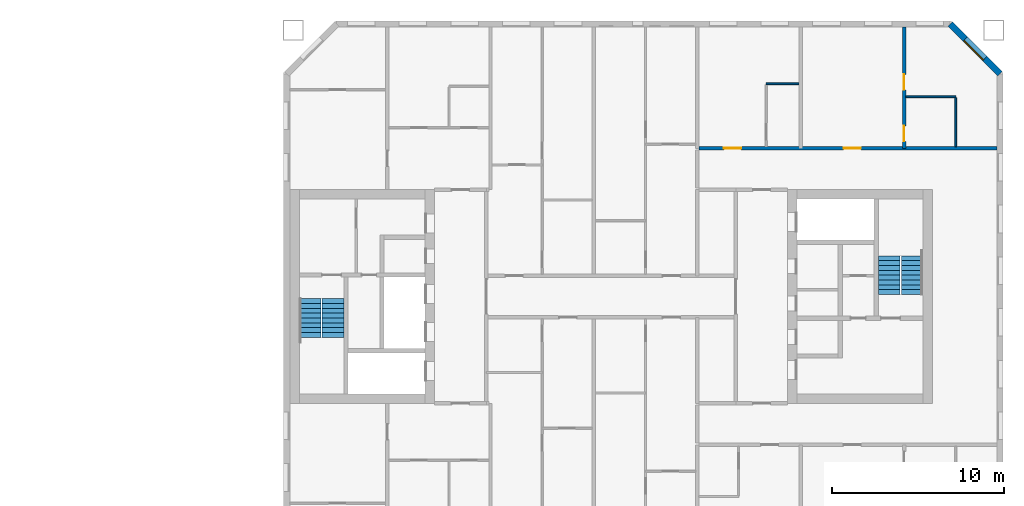
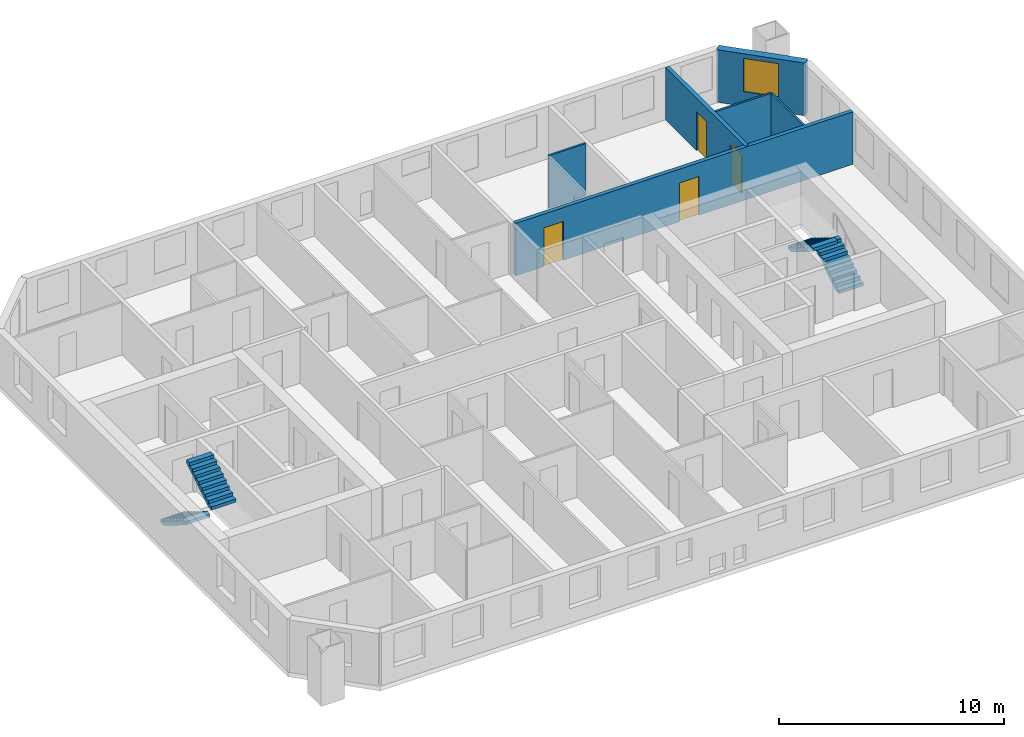
# One storey, part 14 of 16: 6 walls, 4 doors, 4 stair flights, 1 window, 5 openings, 2 elements without a shape of their own.
"""IFC4 building model written with IfcOpenShell, lengths in metres."""

from ifc_helpers import new_model, si_unit, direction, frame, frame_2d, origin, place, context, subcontext, project, spatial, polyline, rectangle, outline, extrude, material, layer, layer_set, type_object, element, fill, aggregate, save


model = new_model("IFC4")

# Units and contexts
model_context = context("Model", 3, precision=1e-05, world=origin(), true_north=direction((0.0, 1.0)))
body_context = subcontext(model_context, "Body", "Model", "MODEL_VIEW")
ifc_project = project(units=[si_unit("LENGTHUNIT", "METRE"), si_unit("AREAUNIT", "SQUARE_METRE"), si_unit("VOLUMEUNIT", "CUBIC_METRE"), si_unit("PLANEANGLEUNIT", "RADIAN"), si_unit("MASSUNIT", "GRAM", prefix="KILO")], contexts=[model_context])

# Site, building, storey
site_placement = place(None, origin())
site = spatial("IfcSite", under=ifc_project, at=site_placement, CompositionType="ELEMENT")
building_placement = place(site_placement, origin())
building = spatial("IfcBuilding", under=site, at=building_placement, Name="Tuart Gate Housing", CompositionType="ELEMENT")
storey_placement = place(building_placement, frame((0.0, 0.0, 139.199951171875)))
storey = spatial("IfcBuildingStorey", under=building, at=storey_placement, Name="L39", CompositionType="ELEMENT", Elevation=139.199951171875)

# Wall, opening, window
ifc_material_1 = material(Name="Brick", Category="masonry")
ifc_layer_1 = layer(ifc_material_1, 0.360107421875)
ifc_layer_set_1 = layer_set([ifc_layer_1], Name="Brick pier and spandrel wall 360")
wall_type_1 = type_object("IfcWallType", Name="Brick pier and spandrel wall 360", PredefinedType="STANDARD", material=ifc_layer_set_1)
wall_1_placement = place(storey_placement, frame((172.570068359375, 82.92529296875, 0.0), z_axis=(0.0, 0.0, 1.0), x_axis=(-0.707106781187, 0.707106781187, 0.0)))
wall_1 = element("IfcWall", 1, at=wall_1_placement, inside=storey, type_object=wall_type_1, Name="External wall B-NE L39", PredefinedType="STANDARD", context=body_context, shape_type="SweptSolid", body=[
    extrude(rectangle(XDim=4.09375, YDim=0.360107421875, at=frame_2d((2.046875, 0.0))), origin(), (0.0, 0.0, 1.0), 2.85009765625),
])
opening_1_placement = place(wall_1_placement, frame((1.2470703125, 0.0, 0.800048828125)))
opening_1 = element("IfcOpeningElement", 2, at=opening_1_placement, cuts=wall_1, Name="Opening W1", PredefinedType="OPENING", context=body_context, shape_type="SweptSolid", body=[
    extrude(rectangle(XDim=1.60009765625, YDim=1.800048828125, at=frame_2d((0.800048828125, 0.89990234375))), frame((0.0, 0.18994140625, 0.0), z_axis=(0.0, -1.0, 0.0), x_axis=(1.0, 0.0, 0.0)), (0.0, 0.0, 1.0), 0.380126953125),
])
ifc_material_2 = material(Name="Aluminium frame with clear glass", Category="aluminium")
window_type = type_object("IfcWindowType", Name="Punched window 1600 x 1800", PartitioningType="SINGLE_PANEL", PredefinedType="WINDOW", material=ifc_material_2)
window_placement = place(opening_1_placement, origin())
window = element("IfcWindow", 3, at=window_placement, inside=storey, type_object=window_type, Name="Window W1", OverallHeight=1.800048828125, OverallWidth=1.60009765625, PartitioningType="SINGLE_PANEL", PredefinedType="WINDOW", context=body_context, shape_type="SweptSolid", body=[
    extrude(rectangle(XDim=1.60009765625, YDim=1.800048828125, at=frame_2d((0.800048828125, 0.89990234375))), frame((0.0, 0.150146484375, 0.0), z_axis=(0.0, -1.0, 0.0), x_axis=(1.0, 0.0, 0.0)), (0.0, 0.0, 1.0), 0.06005859375),
])
fill(opening_1, window)

# Wall, openings, doors
ifc_material_3 = material(Name="Concrete masonry 15 MPa", Category="masonry")
ifc_layer_2 = layer(ifc_material_3, 0.199951171875)
ifc_layer_set_2 = layer_set([ifc_layer_2], Name="Corridor wall masonry 200")
wall_type_2 = type_object("IfcWallType", Name="Corridor wall masonry 200", PredefinedType="PARTITIONING", material=ifc_layer_set_2)
wall_2_placement = place(storey_placement, frame((155.10009765625, 78.60009765625, 0.0), z_axis=(0.0, 0.0, 1.0), x_axis=(1.0, 0.0, 0.0)))
wall_2 = element("IfcWall", 4, at=wall_2_placement, inside=storey, type_object=wall_type_2, Name="Corridor wall masonry 200", PredefinedType="PARTITIONING", context=body_context, shape_type="SweptSolid", body=[
    extrude(rectangle(XDim=17.289794921875, YDim=0.199951171875, at=frame_2d((8.64501953125, 0.0))), origin(), (0.0, 0.0, 1.0), 2.85009765625),
])
opening_2_placement = place(wall_2_placement, frame((1.449951171875, 0.0, 0.0)))
opening_2 = element("IfcOpeningElement", 5, at=opening_2_placement, cuts=wall_2, Name="Opening D1472", PredefinedType="OPENING", context=body_context, shape_type="SweptSolid", body=[
    extrude(rectangle(XDim=1.0, YDim=2.10009765625, at=frame_2d((0.5, 1.050048828125))), frame((0.0, 0.10986328125, 0.0), z_axis=(0.0, -1.0, 0.0), x_axis=(1.0, 0.0, 0.0)), (0.0, 0.0, 1.0), 0.219970703125),
])
opening_3_placement = place(wall_2_placement, frame((8.39990234375, 0.0, 0.0)))
opening_3 = element("IfcOpeningElement", 6, at=opening_3_placement, cuts=wall_2, Name="Opening D1473", PredefinedType="OPENING", context=body_context, shape_type="SweptSolid", body=[
    extrude(rectangle(XDim=1.0, YDim=2.10009765625, at=frame_2d((0.5, 1.050048828125))), frame((0.0, 0.10986328125, 0.0), z_axis=(0.0, -1.0, 0.0), x_axis=(1.0, 0.0, 0.0)), (0.0, 0.0, 1.0), 0.219970703125),
])
ifc_material_4 = material(Name="Timber door leaf in steel frame", Category="steel")
door_type_1 = type_object("IfcDoorType", Name="Flat entrance door 1000", OperationType="SINGLE_SWING_LEFT", PredefinedType="DOOR", material=ifc_material_4)
door_1_placement = place(opening_3_placement, origin())
door_1 = element("IfcDoor", 7, at=door_1_placement, inside=storey, type_object=door_type_1, Name="Flat entrance door", OperationType="SINGLE_SWING_LEFT", OverallHeight=2.10009765625, OverallWidth=1.0, PredefinedType="DOOR", context=body_context, shape_type="SweptSolid", body=[
    extrude(rectangle(XDim=1.0, YDim=2.10009765625, at=frame_2d((0.5, 1.050048828125))), frame((0.0, 0.02490234375, 0.0), z_axis=(0.0, -1.0, 0.0), x_axis=(1.0, 0.0, 0.0)), (0.0, 0.0, 1.0), 0.050048828125),
])
fill(opening_3, door_1)
ifc_material_5 = material(Name="Timber door leaf in steel frame", Category="steel")
door_type_2 = type_object("IfcDoorType", Name="Flat entrance door 1000 RH", OperationType="SINGLE_SWING_RIGHT", PredefinedType="DOOR", material=ifc_material_5)
door_2_placement = place(opening_2_placement, origin())
door_2 = element("IfcDoor", 8, at=door_2_placement, inside=storey, type_object=door_type_2, Name="Flat entrance door", OperationType="SINGLE_SWING_RIGHT", OverallHeight=2.10009765625, OverallWidth=1.0, PredefinedType="DOOR", context=body_context, shape_type="SweptSolid", body=[
    extrude(rectangle(XDim=1.0, YDim=2.10009765625, at=frame_2d((0.5, 1.050048828125))), frame((0.0, 0.02490234375, 0.0), z_axis=(0.0, -1.0, 0.0), x_axis=(1.0, 0.0, 0.0)), (0.0, 0.0, 1.0), 0.050048828125),
])
fill(opening_2, door_2)

# Walls
ifc_material_6 = material(Name="Gypsum board on steel studs", Category="steel")
ifc_layer_3 = layer(ifc_material_6, 0.10009765625)
ifc_layer_set_3 = layer_set([ifc_layer_3], Name="Partition 100")
wall_type_3 = type_object("IfcWallType", Name="Partition 100", PredefinedType="PARTITIONING", material=ifc_layer_set_3)
wall_3_placement = place(storey_placement, frame((167.10009765625, 81.60009765625, 0.0), z_axis=(0.0, 0.0, 1.0), x_axis=(1.0, 0.0, 0.0)))
element("IfcWall", 9, at=wall_3_placement, inside=storey, type_object=wall_type_3, Name="Partition 100", PredefinedType="PARTITIONING", context=body_context, shape_type="SweptSolid", body=[
    extrude(rectangle(XDim=2.89990234375, YDim=0.10009765625, at=frame_2d((1.449951171875, 0.0))), origin(), (0.0, 0.0, 1.0), 2.85009765625),
])
wall_4_placement = place(storey_placement, frame((159.0, 82.35009765625, 0.0), z_axis=(0.0, 0.0, 1.0), x_axis=(1.0, 0.0, 0.0)))
element("IfcWall", 10, at=wall_4_placement, inside=storey, type_object=wall_type_3, Name="Partition 100", PredefinedType="PARTITIONING", context=body_context, shape_type="SweptSolid", body=[
    extrude(rectangle(XDim=1.89990234375, YDim=0.10009765625, at=frame_2d((0.949951171875, 0.0))), origin(), (0.0, 0.0, 1.0), 2.85009765625),
])
wall_5_placement = place(storey_placement, frame((170.0, 78.699951171875, 0.0), z_axis=(0.0, 0.0, 1.0), x_axis=(0.0, 1.0, 0.0)))
element("IfcWall", 11, at=wall_5_placement, inside=storey, type_object=wall_type_3, Name="Partition 100", PredefinedType="PARTITIONING", context=body_context, shape_type="SweptSolid", body=[
    extrude(rectangle(XDim=2.85009765625, YDim=0.10009765625, at=frame_2d((1.425048828125, 0.0))), origin(), (0.0, 0.0, 1.0), 2.85009765625),
])

# Wall, openings, doors
ifc_material_7 = material(Name="Concrete C40", Category="concrete")
ifc_layer_4 = layer(ifc_material_7, 0.199951171875)
ifc_layer_set_4 = layer_set([ifc_layer_4], Name="Party wall concrete C40 200")
wall_type_4 = type_object("IfcWallType", Name="Party wall concrete C40 200", PredefinedType="SOLIDWALL", material=ifc_layer_set_4)
wall_6_placement = place(storey_placement, frame((167.0, 78.60009765625, 0.0), z_axis=(0.0, 0.0, 1.0), x_axis=(0.0, 1.0, 0.0)))
wall_6 = element("IfcWall", 12, at=wall_6_placement, inside=storey, type_object=wall_type_4, Name="Party wall concrete C40 200", PredefinedType="SOLIDWALL", context=body_context, shape_type="SweptSolid", body=[
    extrude(rectangle(XDim=7.039794921875, YDim=0.199951171875, at=frame_2d((3.52001953125, 0.0))), origin(), (0.0, 0.0, 1.0), 2.85009765625),
])
opening_4_placement = place(wall_6_placement, frame((3.39990234375, 0.0, 0.0)))
opening_4 = element("IfcOpeningElement", 13, at=opening_4_placement, cuts=wall_6, Name="Opening D1465", PredefinedType="OPENING", context=body_context, shape_type="SweptSolid", body=[
    extrude(rectangle(XDim=0.89990234375, YDim=2.10009765625, at=frame_2d((0.449951171875, 1.050048828125))), frame((0.0, 0.10986328125, 0.0), z_axis=(0.0, -1.0, 0.0), x_axis=(1.0, 0.0, 0.0)), (0.0, 0.0, 1.0), 0.219970703125),
])
opening_5_placement = place(wall_6_placement, frame((0.39990234375, 0.0, 0.0)))
opening_5 = element("IfcOpeningElement", 14, at=opening_5_placement, cuts=wall_6, Name="Opening D1464", PredefinedType="OPENING", context=body_context, shape_type="SweptSolid", body=[
    extrude(rectangle(XDim=0.89990234375, YDim=2.10009765625, at=frame_2d((0.449951171875, 1.050048828125))), frame((0.0, 0.10986328125, 0.0), z_axis=(0.0, -1.0, 0.0), x_axis=(1.0, 0.0, 0.0)), (0.0, 0.0, 1.0), 0.219970703125),
])
ifc_material_8 = material(Name="Timber door leaf in steel frame", Category="steel")
door_type_3 = type_object("IfcDoorType", Name="Bathroom door 900 RH", OperationType="SINGLE_SWING_RIGHT", PredefinedType="DOOR", material=ifc_material_8)
door_3_placement = place(opening_5_placement, frame((0.89990234375, 0.0, 0.0), z_axis=(0.0, 0.0, 1.0), x_axis=(-1.0, 0.0, 0.0)))
door_3 = element("IfcDoor", 15, at=door_3_placement, inside=storey, type_object=door_type_3, Name="Bathroom door", OperationType="SINGLE_SWING_RIGHT", OverallHeight=2.10009765625, OverallWidth=0.89990234375, PredefinedType="DOOR", context=body_context, shape_type="SweptSolid", body=[
    extrude(rectangle(XDim=0.89990234375, YDim=2.10009765625, at=frame_2d((0.449951171875, 1.050048828125))), frame((0.0, 0.025146484375, 0.0), z_axis=(0.0, -1.0, 0.0), x_axis=(1.0, 0.0, 0.0)), (0.0, 0.0, 1.0), 0.050048828125),
])
fill(opening_5, door_3)
ifc_material_9 = material(Name="Timber door leaf in steel frame", Category="steel")
door_type_4 = type_object("IfcDoorType", Name="Internal door 900 RH", OperationType="SINGLE_SWING_RIGHT", PredefinedType="DOOR", material=ifc_material_9)
door_4_placement = place(opening_4_placement, frame((0.89990234375, 0.0, 0.0), z_axis=(0.0, 0.0, 1.0), x_axis=(-1.0, 0.0, 0.0)))
door_4 = element("IfcDoor", 16, at=door_4_placement, inside=storey, type_object=door_type_4, Name="Internal door", OperationType="SINGLE_SWING_RIGHT", OverallHeight=2.10009765625, OverallWidth=0.89990234375, PredefinedType="DOOR", context=body_context, shape_type="SweptSolid", body=[
    extrude(rectangle(XDim=0.89990234375, YDim=2.10009765625, at=frame_2d((0.449951171875, 1.050048828125))), frame((0.0, 0.025146484375, 0.0), z_axis=(0.0, -1.0, 0.0), x_axis=(1.0, 0.0, 0.0)), (0.0, 0.0, 1.0), 0.050048828125),
])
fill(opening_4, door_4)

# Stair, stair flights
ifc_material_10 = material(Name="Concrete C40", Category="concrete")
stair_type = type_object("IfcStairType", Name="Core stair 1250", PredefinedType="HALF_TURN_STAIR", material=ifc_material_10)
stair_1_placement = place(storey_placement, origin())
stair_1 = element("IfcStair", 17, at=stair_1_placement, inside=storey, type_object=stair_type, Name="Stair SB1", PredefinedType="HALF_TURN_STAIR")
ifc_material_11 = material(Name="Concrete C40", Category="concrete")
stair_flight_type = type_object("IfcStairFlightType", Name="Stair flight 1250, 9 risers 172 x 280", PredefinedType="STRAIGHT", material=ifc_material_11)
stair_flight_1_placement = place(storey_placement, frame((132.534912109375, 69.875, 0.0), z_axis=(0.0, 0.0, 1.0), x_axis=(0.0, -1.0, 0.0)))
stair_flight_1 = element("IfcStairFlight", 18, at=stair_flight_1_placement, type_object=stair_flight_type, Name="SB1 flight 1", NumberOfRisers=9, NumberOfTreads=8, PredefinedType="STRAIGHT", RiserHeight=0.172222222, TreadLength=0.28, context=body_context, shape_type="SweptSolid", body=[
    extrude(outline(polyline([(0.0, 0.0), (0.0, 0.172119140625), (0.280029296875, 0.172119140625), (0.280029296875, 0.344482421875), (0.56005859375, 0.344482421875), (0.56005859375, 0.5166015625), (0.840087890625, 0.5166015625), (0.840087890625, 0.68896484375), (1.1201171875, 0.68896484375), (1.1201171875, 0.861083984375), (1.39990234375, 0.861083984375), (1.39990234375, 1.033447265625), (1.679931640625, 1.033447265625), (1.679931640625, 1.20556640625), (1.9599609375, 1.20556640625), (1.9599609375, 1.377685546875), (2.239990234375, 1.377685546875), (2.239990234375, 1.550048828125), (2.239990234375, 1.201904296875), (0.2861328125, 0.0), (0.0, 0.0)])), frame((0.0, 0.625, 0.0), z_axis=(0.0, -1.0, 0.0), x_axis=(1.0, 0.0, 0.0)), (0.0, 0.0, 1.0), 1.25),
])
stair_flight_2_placement = place(storey_placement, frame((133.860107421875, 67.635009765625, 1.550048828125), z_axis=(0.0, 0.0, 1.0), x_axis=(0.0, 1.0, 0.0)))
stair_flight_2 = element("IfcStairFlight", 19, at=stair_flight_2_placement, type_object=stair_flight_type, Name="SB1 flight 2", NumberOfRisers=9, NumberOfTreads=8, PredefinedType="STRAIGHT", RiserHeight=0.172222222, TreadLength=0.28, context=body_context, shape_type="SweptSolid", body=[
    extrude(outline(polyline([(0.0, 0.0), (0.0, 0.172119140625), (0.280029296875, 0.172119140625), (0.280029296875, 0.344482421875), (0.56005859375, 0.344482421875), (0.56005859375, 0.5166015625), (0.840087890625, 0.5166015625), (0.840087890625, 0.68896484375), (1.1201171875, 0.68896484375), (1.1201171875, 0.861083984375), (1.39990234375, 0.861083984375), (1.39990234375, 1.033447265625), (1.679931640625, 1.033447265625), (1.679931640625, 1.20556640625), (1.9599609375, 1.20556640625), (1.9599609375, 1.377685546875), (2.239990234375, 1.377685546875), (2.239990234375, 1.550048828125), (2.239990234375, 1.201904296875), (0.2861328125, 0.0), (0.0, 0.0)])), frame((0.0, 0.625, 0.0), z_axis=(0.0, -1.0, 0.0), x_axis=(1.0, 0.0, 0.0)), (0.0, 0.0, 1.0), 1.25),
])
aggregate(stair_1, [stair_flight_1, stair_flight_2])

stair_2_placement = place(storey_placement, origin())
stair_2 = element("IfcStair", 20, at=stair_2_placement, inside=storey, type_object=stair_type, Name="Stair SB2", PredefinedType="HALF_TURN_STAIR")
stair_flight_3_placement = place(storey_placement, frame((167.465087890625, 70.125, 0.0), z_axis=(0.0, 0.0, 1.0), x_axis=(0.0, 1.0, 0.0)))
stair_flight_3 = element("IfcStairFlight", 21, at=stair_flight_3_placement, type_object=stair_flight_type, Name="SB2 flight 1", NumberOfRisers=9, NumberOfTreads=8, PredefinedType="STRAIGHT", RiserHeight=0.172222222, TreadLength=0.28, context=body_context, shape_type="SweptSolid", body=[
    extrude(outline(polyline([(0.0, 0.0), (0.0, 0.172119140625), (0.280029296875, 0.172119140625), (0.280029296875, 0.344482421875), (0.56005859375, 0.344482421875), (0.56005859375, 0.5166015625), (0.840087890625, 0.5166015625), (0.840087890625, 0.68896484375), (1.1201171875, 0.68896484375), (1.1201171875, 0.861083984375), (1.39990234375, 0.861083984375), (1.39990234375, 1.033447265625), (1.679931640625, 1.033447265625), (1.679931640625, 1.20556640625), (1.9599609375, 1.20556640625), (1.9599609375, 1.377685546875), (2.239990234375, 1.377685546875), (2.239990234375, 1.550048828125), (2.239990234375, 1.201904296875), (0.2861328125, 0.0), (0.0, 0.0)])), frame((0.0, 0.625, 0.0), z_axis=(0.0, -1.0, 0.0), x_axis=(1.0, 0.0, 0.0)), (0.0, 0.0, 1.0), 1.25),
])
stair_flight_4_placement = place(storey_placement, frame((166.139892578125, 72.364990234375, 1.550048828125), z_axis=(0.0, 0.0, 1.0), x_axis=(0.0, -1.0, 0.0)))
stair_flight_4 = element("IfcStairFlight", 22, at=stair_flight_4_placement, type_object=stair_flight_type, Name="SB2 flight 2", NumberOfRisers=9, NumberOfTreads=8, PredefinedType="STRAIGHT", RiserHeight=0.172222222, TreadLength=0.28, context=body_context, shape_type="SweptSolid", body=[
    extrude(outline(polyline([(0.0, 0.0), (0.0, 0.172119140625), (0.280029296875, 0.172119140625), (0.280029296875, 0.344482421875), (0.56005859375, 0.344482421875), (0.56005859375, 0.5166015625), (0.840087890625, 0.5166015625), (0.840087890625, 0.68896484375), (1.1201171875, 0.68896484375), (1.1201171875, 0.861083984375), (1.39990234375, 0.861083984375), (1.39990234375, 1.033447265625), (1.679931640625, 1.033447265625), (1.679931640625, 1.20556640625), (1.9599609375, 1.20556640625), (1.9599609375, 1.377685546875), (2.239990234375, 1.377685546875), (2.239990234375, 1.550048828125), (2.239990234375, 1.201904296875), (0.2861328125, 0.0), (0.0, 0.0)])), frame((0.0, 0.625, 0.0), z_axis=(0.0, -1.0, 0.0), x_axis=(1.0, 0.0, 0.0)), (0.0, 0.0, 1.0), 1.25),
])
aggregate(stair_2, [stair_flight_3, stair_flight_4])

save(model, "model.ifc")
